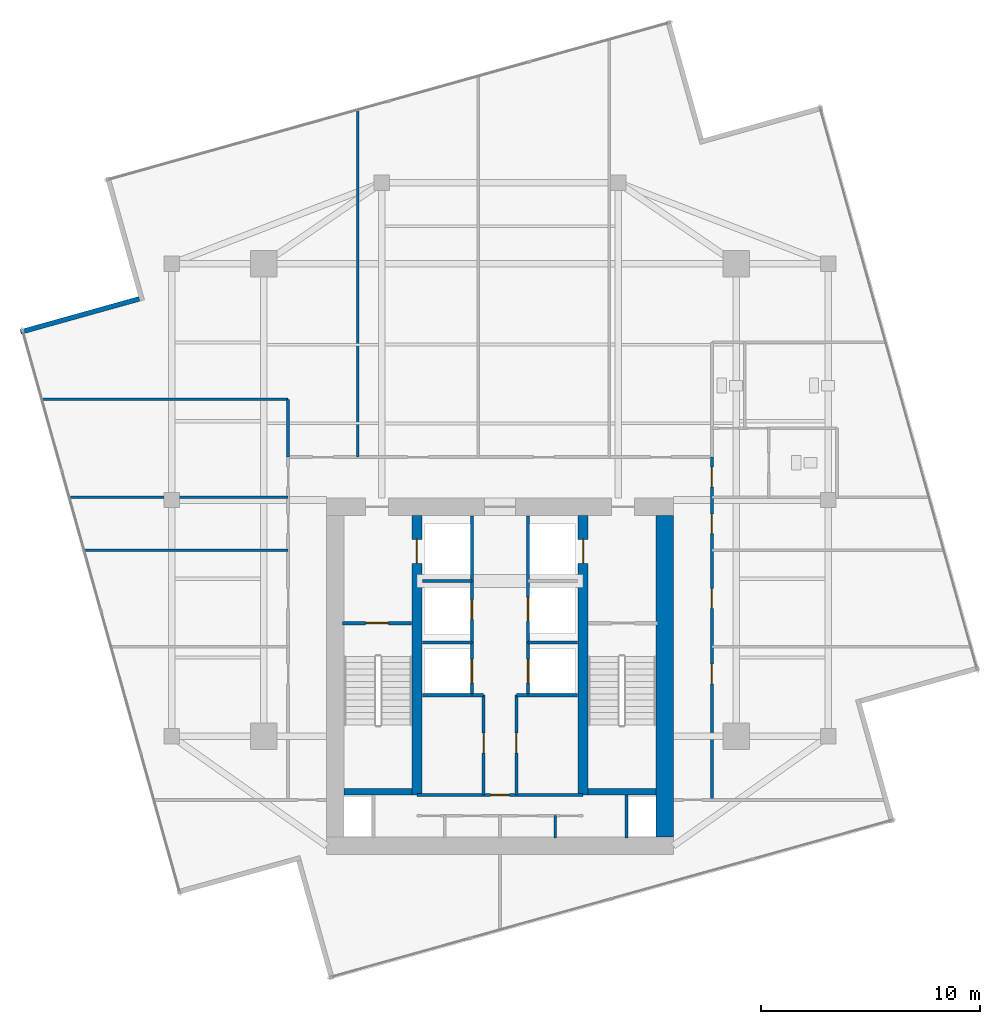
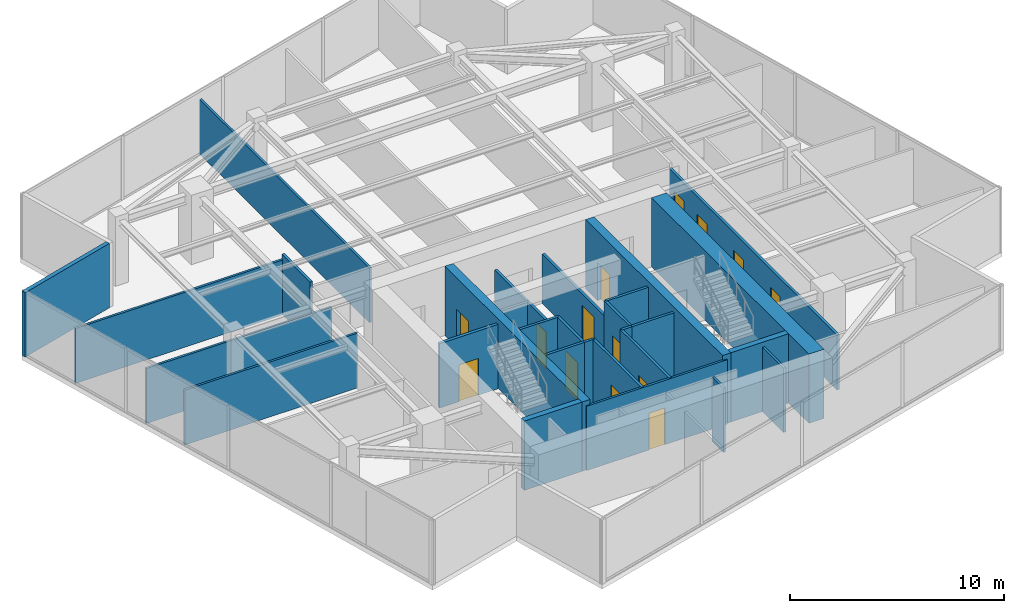
# One storey, part 17 of 20: 29 walls, 14 doors, 14 openings.
"""IFC4 building model written with IfcOpenShell, lengths in metres."""

from ifc_helpers import new_model, si_unit, direction, frame, frame_2d, origin, place, context, subcontext, project, spatial, rectangle, extrude, material, layer, layer_set, type_object, element, fill, save


model = new_model("IFC4")

# Units and contexts
model_context = context("Model", 3, precision=1e-05, world=origin(), true_north=direction((0.0, 1.0)))
body_context = subcontext(model_context, "Body", "Model", "MODEL_VIEW")
ifc_project = project(units=[si_unit("LENGTHUNIT", "METRE"), si_unit("AREAUNIT", "SQUARE_METRE"), si_unit("VOLUMEUNIT", "CUBIC_METRE"), si_unit("PLANEANGLEUNIT", "RADIAN"), si_unit("MASSUNIT", "GRAM", prefix="KILO")], contexts=[model_context])

# Site, building, storey
site_placement = place(None, origin())
site = spatial("IfcSite", under=ifc_project, at=site_placement, CompositionType="ELEMENT")
building_placement = place(site_placement, origin())
building = spatial("IfcBuilding", under=site, at=building_placement, Name="Krantzveldt Concourse Tower", CompositionType="ELEMENT")
storey_placement = place(building_placement, frame((0.0, 0.0, 351.39990234375)))
storey = spatial("IfcBuildingStorey", under=building, at=storey_placement, Name="L86", CompositionType="ELEMENT", Elevation=351.39990234375)

# Wall
ifc_material_1 = material(Name="Anodised aluminium 6063-T6", Category="aluminium")
ifc_layer_1 = layer(ifc_material_1, 0.219970703125, Name="Anodised aluminium 6063-T6", Category="aluminium")
ifc_layer_set_1 = layer_set([ifc_layer_1], Name="Anodised aluminium 6063-T6 (WL-EXT-NOTCH220)")
wall_type_1 = type_object("IfcWallType", Name="WL-EXT-NOTCH220", PredefinedType="ELEMENTEDWALL", material=ifc_layer_set_1)
wall_1_placement = place(storey_placement, frame((19.515625, 35.8896484375, 0.0), z_axis=(0.0, 0.0, 1.0), x_axis=(-0.963050070433, -0.269322412432, 0.0)))
element("IfcWall", 1, at=wall_1_placement, inside=storey, type_object=wall_type_1, Name="EW-L86-NCH03", PredefinedType="ELEMENTEDWALL", context=body_context, shape_type="SweptSolid", body=[
    extrude(rectangle(XDim=5.624755859375, YDim=0.219970703125, at=frame_2d((2.8125, 0.0))), origin(), (0.0, 0.0, 1.0), 3.670166015625),
])

# Wall, opening, door
ifc_material_2 = material(Name="Fire-rated gypsum plasterboard on steel stud", Category="steel")
ifc_layer_2 = layer(ifc_material_2, 0.1201171875, Name="Fire-rated gypsum plasterboard on steel stud", Category="steel")
ifc_layer_set_2 = layer_set([ifc_layer_2], Name="Fire-rated gypsum plasterboard on steel stud (WL-PART-120)")
wall_type_2 = type_object("IfcWallType", Name="WL-PART-120", PredefinedType="PARTITIONING", material=ifc_layer_set_2)
wall_2_placement = place(storey_placement, frame((32.2099609375, 13.219970703125, 0.0), z_axis=(0.0, 0.0, 1.0), x_axis=(1.0, 0.0, 0.0)))
wall_2 = element("IfcWall", 2, at=wall_2_placement, inside=storey, type_object=wall_type_2, Name="WP-L86-CS2H", PredefinedType="PARTITIONING", context=body_context, shape_type="SweptSolid", body=[
    extrude(rectangle(XDim=7.580078125, YDim=0.1201171875, at=frame_2d((3.7900390625, 0.0))), origin(), (0.0, 0.0, 1.0), 3.670166015625),
])
opening_1_placement = place(wall_2_placement, frame((3.364990234375, 0.0, 0.0)))
opening_1 = element("IfcOpeningElement", 3, at=opening_1_placement, cuts=wall_2, Name="Opening D-IN085", PredefinedType="OPENING", context=body_context, shape_type="SweptSolid", body=[
    extrude(rectangle(XDim=0.85009765625, YDim=2.10009765625, at=frame_2d((0.425048828125, 1.050048828125))), frame((0.0, 0.070068359375, 0.0), z_axis=(0.0, -1.0, 0.0), x_axis=(1.0, 0.0, 0.0)), (0.0, 0.0, 1.0), 0.14013671875),
])
ifc_material_3 = material(Name="Hardwood timber", Category="wood")
door_type_1 = type_object("IfcDoorType", Name="DR-INT-850", OperationType="SINGLE_SWING_LEFT", PredefinedType="DOOR", material=ifc_material_3)
door_1_placement = place(opening_1_placement, origin())
door_1 = element("IfcDoor", 4, at=door_1_placement, inside=storey, type_object=door_type_1, Name="DR-L86-LLBS", OperationType="SINGLE_SWING_RIGHT", OverallHeight=2.10009765625, OverallWidth=0.85009765625, PredefinedType="DOOR", context=body_context, shape_type="SweptSolid", body=[
    extrude(rectangle(XDim=0.85009765625, YDim=2.10009765625, at=frame_2d((0.425048828125, 1.050048828125))), frame((0.0, 0.02490234375, 0.0), z_axis=(0.0, -1.0, 0.0), x_axis=(1.0, 0.0, 0.0)), (0.0, 0.0, 1.0), 0.050048828125),
])
fill(opening_1, door_1)

# Walls
wall_3_placement = place(storey_placement, frame((38.530029296875, 11.25, 0.0), z_axis=(0.0, 0.0, 1.0), x_axis=(0.0, 1.0, 0.0)))
element("IfcWall", 5, at=wall_3_placement, inside=storey, type_object=wall_type_2, Name="WP-L86-CSD-V3", PredefinedType="PARTITIONING", context=body_context, shape_type="SweptSolid", body=[
    extrude(rectangle(XDim=1.030029296875, YDim=0.1201171875, at=frame_2d((0.51513671875, 0.0))), origin(), (0.0, 0.0, 1.0), 3.670166015625),
])
wall_4_placement = place(storey_placement, frame((16.330810546875, 26.820068359375, 0.0), z_axis=(0.0, 0.0, 1.0), x_axis=(1.0, 0.0, 0.0)))
element("IfcWall", 6, at=wall_4_placement, inside=storey, type_object=wall_type_2, Name="WP-L86-PNTS", PredefinedType="PARTITIONING", context=body_context, shape_type="SweptSolid", body=[
    extrude(rectangle(XDim=9.9892578125, YDim=0.1201171875, at=frame_2d((4.99462890625, 0.0))), origin(), (0.0, 0.0, 1.0), 3.130126953125),
])
wall_5_placement = place(storey_placement, frame((15.077880859375, 31.300048828125, 0.0), z_axis=(0.0, 0.0, 1.0), x_axis=(1.0, 0.0, 0.0)))
element("IfcWall", 7, at=wall_5_placement, inside=storey, type_object=wall_type_2, Name="WP-L86-PNTN", PredefinedType="PARTITIONING", context=body_context, shape_type="SweptSolid", body=[
    extrude(rectangle(XDim=11.2421875, YDim=0.1201171875, at=frame_2d((5.62109375, 0.0))), origin(), (0.0, 0.0, 1.0), 3.130126953125),
])
wall_6_placement = place(storey_placement, frame((29.5, 28.659912109375, 0.0), z_axis=(0.0, 0.0, 1.0), x_axis=(0.0, 1.0, 0.0)))
element("IfcWall", 8, at=wall_6_placement, inside=storey, type_object=wall_type_2, Name="WP-L86-ND1", PredefinedType="PARTITIONING", context=body_context, shape_type="SweptSolid", body=[
    extrude(rectangle(XDim=15.857666015625, YDim=0.1201171875, at=frame_2d((7.9287109375, 0.0))), origin(), (0.0, 0.0, 1.0), 3.130126953125),
])
wall_7_placement = place(storey_placement, frame((17.007568359375, 24.39990234375, 0.0), z_axis=(0.0, 0.0, 1.0), x_axis=(1.0, 0.0, 0.0)))
element("IfcWall", 9, at=wall_7_placement, inside=storey, type_object=wall_type_2, Name="WP-L86-WD2", PredefinedType="PARTITIONING", context=body_context, shape_type="SweptSolid", body=[
    extrude(rectangle(XDim=9.3125, YDim=0.1201171875, at=frame_2d((4.65625, 0.0))), origin(), (0.0, 0.0, 1.0), 3.130126953125),
])

# Wall, openings, doors
ifc_layer_3 = layer(ifc_material_2, 0.139892578125, Name="Fire-rated gypsum plasterboard on steel stud", Category="steel")
ifc_layer_set_3 = layer_set([ifc_layer_3], Name="Fire-rated gypsum plasterboard on steel stud (WL-PART-140)")
wall_type_3 = type_object("IfcWallType", Name="WL-PART-140", PredefinedType="PARTITIONING", material=ifc_layer_set_3)
wall_8_placement = place(storey_placement, frame((45.679931640625, 13.0, 0.0), z_axis=(0.0, 0.0, 1.0), x_axis=(0.0, 1.0, 0.0)))
wall_8 = element("IfcWall", 10, at=wall_8_placement, inside=storey, type_object=wall_type_3, Name="WP-L86-CEAST", PredefinedType="PARTITIONING", context=body_context, shape_type="SweptSolid", body=[
    extrude(rectangle(XDim=15.659912109375, YDim=0.139892578125, at=frame_2d((7.830078125, 0.0))), origin(), (0.0, 0.0, 1.0), 3.130126953125),
])
opening_2_placement = place(wall_8_placement, frame((14.300048828125, 0.0, 0.0)))
opening_2 = element("IfcOpeningElement", 11, at=opening_2_placement, cuts=wall_8, Name="Opening D-IN090", PredefinedType="OPENING", context=body_context, shape_type="SweptSolid", body=[
    extrude(rectangle(XDim=0.89990234375, YDim=2.10009765625, at=frame_2d((0.449951171875, 1.050048828125))), frame((0.0, 0.080078125, 0.0), z_axis=(0.0, -1.0, 0.0), x_axis=(1.0, 0.0, 0.0)), (0.0, 0.0, 1.0), 0.159912109375),
])
opening_3_placement = place(wall_8_placement, frame((5.300048828125, 0.0, 0.0)))
opening_3 = element("IfcOpeningElement", 12, at=opening_3_placement, cuts=wall_8, Name="Opening D-IN090", PredefinedType="OPENING", context=body_context, shape_type="SweptSolid", body=[
    extrude(rectangle(XDim=0.89990234375, YDim=2.10009765625, at=frame_2d((0.449951171875, 1.050048828125))), frame((0.0, 0.080078125, 0.0), z_axis=(0.0, -1.0, 0.0), x_axis=(1.0, 0.0, 0.0)), (0.0, 0.0, 1.0), 0.159912109375),
])
opening_4_placement = place(wall_8_placement, frame((8.75, 0.0, 0.0)))
opening_4 = element("IfcOpeningElement", 13, at=opening_4_placement, cuts=wall_8, Name="Opening D-IN090", PredefinedType="OPENING", context=body_context, shape_type="SweptSolid", body=[
    extrude(rectangle(XDim=0.89990234375, YDim=2.10009765625, at=frame_2d((0.449951171875, 1.050048828125))), frame((0.0, 0.080078125, 0.0), z_axis=(0.0, -1.0, 0.0), x_axis=(1.0, 0.0, 0.0)), (0.0, 0.0, 1.0), 0.159912109375),
])
opening_5_placement = place(wall_8_placement, frame((12.159912109375, 0.0, 0.0)))
opening_5 = element("IfcOpeningElement", 14, at=opening_5_placement, cuts=wall_8, Name="Opening D-IN090", PredefinedType="OPENING", context=body_context, shape_type="SweptSolid", body=[
    extrude(rectangle(XDim=0.89990234375, YDim=2.10009765625, at=frame_2d((0.449951171875, 1.050048828125))), frame((0.0, 0.080078125, 0.0), z_axis=(0.0, -1.0, 0.0), x_axis=(1.0, 0.0, 0.0)), (0.0, 0.0, 1.0), 0.159912109375),
])
door_type_2 = type_object("IfcDoorType", Name="DR-INT-900", OperationType="SINGLE_SWING_LEFT", PredefinedType="DOOR", material=ifc_material_3)
door_2_placement = place(opening_2_placement, origin())
door_2 = element("IfcDoor", 15, at=door_2_placement, inside=storey, type_object=door_type_2, Name="DR-L86-WCV", OperationType="SINGLE_SWING_RIGHT", OverallHeight=2.10009765625, OverallWidth=0.89990234375, PredefinedType="DOOR", context=body_context, shape_type="SweptSolid", body=[
    extrude(rectangle(XDim=0.89990234375, YDim=2.10009765625, at=frame_2d((0.449951171875, 1.050048828125))), frame((0.0, 0.02490234375, 0.0), z_axis=(0.0, -1.0, 0.0), x_axis=(1.0, 0.0, 0.0)), (0.0, 0.0, 1.0), 0.050048828125),
])
fill(opening_2, door_2)
door_3_placement = place(opening_3_placement, origin())
door_3 = element("IfcDoor", 16, at=door_3_placement, inside=storey, type_object=door_type_2, Name="DR-L86-ER1", OperationType="SINGLE_SWING_LEFT", OverallHeight=2.10009765625, OverallWidth=0.89990234375, PredefinedType="DOOR", context=body_context, shape_type="SweptSolid", body=[
    extrude(rectangle(XDim=0.89990234375, YDim=2.10009765625, at=frame_2d((0.449951171875, 1.050048828125))), frame((0.0, 0.02490234375, 0.0), z_axis=(0.0, -1.0, 0.0), x_axis=(1.0, 0.0, 0.0)), (0.0, 0.0, 1.0), 0.050048828125),
])
fill(opening_3, door_3)
door_4_placement = place(opening_4_placement, origin())
door_4 = element("IfcDoor", 17, at=door_4_placement, inside=storey, type_object=door_type_2, Name="DR-L86-ER2", OperationType="SINGLE_SWING_LEFT", OverallHeight=2.10009765625, OverallWidth=0.89990234375, PredefinedType="DOOR", context=body_context, shape_type="SweptSolid", body=[
    extrude(rectangle(XDim=0.89990234375, YDim=2.10009765625, at=frame_2d((0.449951171875, 1.050048828125))), frame((0.0, 0.02490234375, 0.0), z_axis=(0.0, -1.0, 0.0), x_axis=(1.0, 0.0, 0.0)), (0.0, 0.0, 1.0), 0.050048828125),
])
fill(opening_4, door_4)
door_5_placement = place(opening_5_placement, origin())
door_5 = element("IfcDoor", 18, at=door_5_placement, inside=storey, type_object=door_type_2, Name="DR-L86-ER3", OperationType="SINGLE_SWING_LEFT", OverallHeight=2.10009765625, OverallWidth=0.89990234375, PredefinedType="DOOR", context=body_context, shape_type="SweptSolid", body=[
    extrude(rectangle(XDim=0.89990234375, YDim=2.10009765625, at=frame_2d((0.449951171875, 1.050048828125))), frame((0.0, 0.02490234375, 0.0), z_axis=(0.0, -1.0, 0.0), x_axis=(1.0, 0.0, 0.0)), (0.0, 0.0, 1.0), 0.050048828125),
])
fill(opening_5, door_5)

# Wall
wall_9_placement = place(storey_placement, frame((26.320068359375, 28.659912109375, 0.0), z_axis=(0.0, 0.0, 1.0), x_axis=(0.0, 1.0, 0.0)))
element("IfcWall", 19, at=wall_9_placement, inside=storey, type_object=wall_type_3, Name="WP-L86-NWL", PredefinedType="PARTITIONING", context=body_context, shape_type="SweptSolid", body=[
    extrude(rectangle(XDim=2.64013671875, YDim=0.139892578125, at=frame_2d((1.320068359375, 0.0))), origin(), (0.0, 0.0, 1.0), 3.43017578125),
])

# Wall, opening, door
ifc_layer_4 = layer(ifc_material_2, 0.139892578125, Name="Fire-rated gypsum plasterboard on steel stud", Category="steel")
ifc_layer_set_4 = layer_set([ifc_layer_4], Name="Fire-rated gypsum plasterboard on steel stud (WL-PART-FR140)")
wall_type_4 = type_object("IfcWallType", Name="WL-PART-FR140", PredefinedType="PARTITIONING", material=ifc_layer_set_4)
wall_10_placement = place(storey_placement, frame((34.719970703125, 20.199951171875, 0.0), z_axis=(0.0, 0.0, 1.0), x_axis=(0.0, 1.0, 0.0)))
wall_10 = element("IfcWall", 20, at=wall_10_placement, inside=storey, type_object=wall_type_4, Name="WP-L86-SHNW", PredefinedType="PARTITIONING", context=body_context, shape_type="SweptSolid", body=[
    extrude(rectangle(XDim=5.780029296875, YDim=0.139892578125, at=frame_2d((2.89013671875, 0.0))), origin(), (0.0, 0.0, 1.0), 2.820068359375),
])
opening_6_placement = place(wall_10_placement, frame((1.050048828125, 0.0, 0.0)))
opening_6 = element("IfcOpeningElement", 21, at=opening_6_placement, cuts=wall_10, Name="Opening D-FD090", PredefinedType="OPENING", context=body_context, shape_type="SweptSolid", body=[
    extrude(rectangle(XDim=0.89990234375, YDim=2.10009765625, at=frame_2d((0.449951171875, 1.050048828125))), frame((0.0, 0.080078125, 0.0), z_axis=(0.0, -1.0, 0.0), x_axis=(1.0, 0.0, 0.0)), (0.0, 0.0, 1.0), 0.159912109375),
])
door_type_3 = type_object("IfcDoorType", Name="DR-FD60-900", OperationType="SINGLE_SWING_LEFT", PredefinedType="DOOR", material=ifc_material_3)
door_6_placement = place(opening_6_placement, origin())
door_6 = element("IfcDoor", 22, at=door_6_placement, inside=storey, type_object=door_type_3, Name="Electrical Riser Access Door L86", OperationType="SINGLE_SWING_LEFT", OverallHeight=2.10009765625, OverallWidth=0.89990234375, PredefinedType="DOOR", context=body_context, shape_type="SweptSolid", body=[
    extrude(rectangle(XDim=0.89990234375, YDim=2.10009765625, at=frame_2d((0.449951171875, 1.050048828125))), frame((0.0, 0.02490234375, 0.0), z_axis=(0.0, -1.0, 0.0), x_axis=(1.0, 0.0, 0.0)), (0.0, 0.0, 1.0), 0.050048828125),
])
fill(opening_6, door_6)

wall_11_placement = place(storey_placement, frame((37.280029296875, 20.199951171875, 0.0), z_axis=(0.0, 0.0, 1.0), x_axis=(0.0, 1.0, 0.0)))
wall_11 = element("IfcWall", 23, at=wall_11_placement, inside=storey, type_object=wall_type_4, Name="WP-L86-SHNE", PredefinedType="PARTITIONING", context=body_context, shape_type="SweptSolid", body=[
    extrude(rectangle(XDim=5.780029296875, YDim=0.139892578125, at=frame_2d((2.89013671875, 0.0))), origin(), (0.0, 0.0, 1.0), 2.820068359375),
])
opening_7_placement = place(wall_11_placement, frame((0.949951171875, 0.0, 0.0)))
opening_7 = element("IfcOpeningElement", 24, at=opening_7_placement, cuts=wall_11, Name="Opening LD", PredefinedType="OPENING", context=body_context, shape_type="SweptSolid", body=[
    extrude(rectangle(XDim=1.10009765625, YDim=2.14990234375, at=frame_2d((0.550048828125, 1.074951171875))), frame((0.0, 0.080078125, 0.0), z_axis=(0.0, -1.0, 0.0), x_axis=(1.0, 0.0, 0.0)), (0.0, 0.0, 1.0), 0.159912109375),
])
ifc_material_4 = material(Name="Stainless steel 316L", Category="steel")
door_type_4 = type_object("IfcDoorType", Name="DR-SLIDE-LD1100", OperationType="DOUBLE_DOOR_SLIDING", PredefinedType="DOOR", material=ifc_material_4)
door_7_placement = place(opening_7_placement, origin())
door_7 = element("IfcDoor", 25, at=door_7_placement, inside=storey, type_object=door_type_4, Name="LD-L86-GL1", OperationType="DOUBLE_DOOR_SLIDING", OverallHeight=2.14990234375, OverallWidth=1.10009765625, PredefinedType="DOOR", context=body_context, shape_type="SweptSolid", body=[
    extrude(rectangle(XDim=1.10009765625, YDim=2.14990234375, at=frame_2d((0.550048828125, 1.074951171875))), frame((0.0, 0.02490234375, 0.0), z_axis=(0.0, -1.0, 0.0), x_axis=(1.0, 0.0, 0.0)), (0.0, 0.0, 1.0), 0.050048828125),
])
fill(opening_7, door_7)

# Wall
wall_12_placement = place(storey_placement, frame((32.449951171875, 23.0, 0.0), z_axis=(0.0, 0.0, 1.0), x_axis=(1.0, 0.0, 0.0)))
element("IfcWall", 26, at=wall_12_placement, inside=storey, type_object=wall_type_4, Name="WP-L86-RISH", PredefinedType="PARTITIONING", context=body_context, shape_type="SweptSolid", body=[
    extrude(rectangle(XDim=2.27001953125, YDim=0.139892578125, at=frame_2d((1.135009765625, 0.0))), origin(), (0.0, 0.0, 1.0), 2.820068359375),
])

# Wall, opening, door
wall_13_placement = place(storey_placement, frame((34.719970703125, 17.780029296875, 0.0), z_axis=(0.0, 0.0, 1.0), x_axis=(0.0, 1.0, 0.0)))
wall_13 = element("IfcWall", 27, at=wall_13_placement, inside=storey, type_object=wall_type_4, Name="WP-L86-SHNW2", PredefinedType="PARTITIONING", context=body_context, shape_type="SweptSolid", body=[
    extrude(rectangle(XDim=2.419921875, YDim=0.139892578125, at=frame_2d((1.2099609375, 0.0))), origin(), (0.0, 0.0, 1.0), 3.670166015625),
])
opening_8_placement = place(wall_13_placement, frame((0.550048828125, 0.0, 0.0)))
opening_8 = element("IfcOpeningElement", 28, at=opening_8_placement, cuts=wall_13, Name="Opening LD", PredefinedType="OPENING", context=body_context, shape_type="SweptSolid", body=[
    extrude(rectangle(XDim=1.10009765625, YDim=2.14990234375, at=frame_2d((0.550048828125, 1.074951171875))), frame((0.0, 0.080078125, 0.0), z_axis=(0.0, -1.0, 0.0), x_axis=(1.0, 0.0, 0.0)), (0.0, 0.0, 1.0), 0.159912109375),
])
door_8_placement = place(opening_8_placement, origin())
door_8 = element("IfcDoor", 29, at=door_8_placement, inside=storey, type_object=door_type_4, Name="LD-L86-PH1", OperationType="DOUBLE_DOOR_SLIDING", OverallHeight=2.14990234375, OverallWidth=1.10009765625, PredefinedType="DOOR", context=body_context, shape_type="SweptSolid", body=[
    extrude(rectangle(XDim=1.10009765625, YDim=2.14990234375, at=frame_2d((0.550048828125, 1.074951171875))), frame((0.0, 0.02490234375, 0.0), z_axis=(0.0, -1.0, 0.0), x_axis=(1.0, 0.0, 0.0)), (0.0, 0.0, 1.0), 0.050048828125),
])
fill(opening_8, door_8)

wall_14_placement = place(storey_placement, frame((37.280029296875, 17.780029296875, 0.0), z_axis=(0.0, 0.0, 1.0), x_axis=(0.0, 1.0, 0.0)))
wall_14 = element("IfcWall", 30, at=wall_14_placement, inside=storey, type_object=wall_type_4, Name="WP-L86-SHNE2", PredefinedType="PARTITIONING", context=body_context, shape_type="SweptSolid", body=[
    extrude(rectangle(XDim=2.419921875, YDim=0.139892578125, at=frame_2d((1.2099609375, 0.0))), origin(), (0.0, 0.0, 1.0), 3.670166015625),
])
opening_9_placement = place(wall_14_placement, frame((0.550048828125, 0.0, 0.0)))
opening_9 = element("IfcOpeningElement", 31, at=opening_9_placement, cuts=wall_14, Name="Opening LD", PredefinedType="OPENING", context=body_context, shape_type="SweptSolid", body=[
    extrude(rectangle(XDim=1.10009765625, YDim=2.14990234375, at=frame_2d((0.550048828125, 1.074951171875))), frame((0.0, 0.080078125, 0.0), z_axis=(0.0, -1.0, 0.0), x_axis=(1.0, 0.0, 0.0)), (0.0, 0.0, 1.0), 0.159912109375),
])
door_9_placement = place(opening_9_placement, origin())
door_9 = element("IfcDoor", 32, at=door_9_placement, inside=storey, type_object=door_type_4, Name="LD-L86-PH2", OperationType="DOUBLE_DOOR_SLIDING", OverallHeight=2.14990234375, OverallWidth=1.10009765625, PredefinedType="DOOR", context=body_context, shape_type="SweptSolid", body=[
    extrude(rectangle(XDim=1.10009765625, YDim=2.14990234375, at=frame_2d((0.550048828125, 1.074951171875))), frame((0.0, 0.02490234375, 0.0), z_axis=(0.0, -1.0, 0.0), x_axis=(1.0, 0.0, 0.0)), (0.0, 0.0, 1.0), 0.050048828125),
])
fill(opening_9, door_9)

# Walls
for number, where, z_axis, x_axis, name in (
    (33, (32.449951171875, 17.780029296875, 0.0), (0.0, 0.0, 1.0), (1.0, 0.0, 0.0), "WP-L86-DIVW2"),
    (34, (32.449951171875, 20.179931640625, 0.0), (0.0, 0.0, 1.0), (1.0, 0.0, 0.0), "WP-L86-DIVW3"),
    (35, (37.280029296875, 17.780029296875, 0.0), (0.0, 0.0, 1.0), (1.0, 0.0, 0.0), "WP-L86-DIVE2"),
    (36, (37.280029296875, 20.179931640625, 0.0), (0.0, 0.0, 1.0), (1.0, 0.0, 0.0), "WP-L86-DIVE3"),
):
    element("IfcWall", number, at=place(storey_placement, frame(where, z_axis=z_axis, x_axis=x_axis)), inside=storey, type_object=wall_type_4, Name=name, PredefinedType="PARTITIONING", context=body_context, shape_type="SweptSolid", body=[
        extrude(rectangle(XDim=2.27001953125, YDim=0.139892578125, at=frame_2d((1.135009765625, 0.0))), origin(), (0.0, 0.0, 1.0), 3.670166015625),
    ])

# Wall, opening, door
wall_15_placement = place(storey_placement, frame((35.25, 13.219970703125, 0.0), z_axis=(0.0, 0.0, 1.0), x_axis=(0.0, 1.0, 0.0)))
wall_15 = element("IfcWall", 37, at=wall_15_placement, inside=storey, type_object=wall_type_4, Name="WP-L86-RECW", PredefinedType="PARTITIONING", context=body_context, shape_type="SweptSolid", body=[
    extrude(rectangle(XDim=4.56005859375, YDim=0.139892578125, at=frame_2d((2.280029296875, 0.0))), origin(), (0.0, 0.0, 1.0), 3.670166015625),
])
opening_10_placement = place(wall_15_placement, frame((1.929931640625, 0.0, 0.0)))
opening_10 = element("IfcOpeningElement", 38, at=opening_10_placement, cuts=wall_15, Name="Opening D-FD090", PredefinedType="OPENING", context=body_context, shape_type="SweptSolid", body=[
    extrude(rectangle(XDim=0.89990234375, YDim=2.10009765625, at=frame_2d((0.449951171875, 1.050048828125))), frame((0.0, 0.080078125, 0.0), z_axis=(0.0, -1.0, 0.0), x_axis=(1.0, 0.0, 0.0)), (0.0, 0.0, 1.0), 0.159912109375),
])
door_10_placement = place(opening_10_placement, origin())
door_10 = element("IfcDoor", 39, at=door_10_placement, inside=storey, type_object=door_type_3, Name="DR-L86-RECW", OperationType="SINGLE_SWING_LEFT", OverallHeight=2.10009765625, OverallWidth=0.89990234375, PredefinedType="DOOR", context=body_context, shape_type="SweptSolid", body=[
    extrude(rectangle(XDim=0.89990234375, YDim=2.10009765625, at=frame_2d((0.449951171875, 1.050048828125))), frame((0.0, 0.02490234375, 0.0), z_axis=(0.0, -1.0, 0.0), x_axis=(1.0, 0.0, 0.0)), (0.0, 0.0, 1.0), 0.050048828125),
])
fill(opening_10, door_10)

# Wall
wall_16_placement = place(storey_placement, frame((34.719970703125, 17.780029296875, 0.0), z_axis=(0.0, 0.0, 1.0), x_axis=(1.0, 0.0, 0.0)))
element("IfcWall", 40, at=wall_16_placement, inside=storey, type_object=wall_type_4, Name="WP-L86-RECWN", PredefinedType="PARTITIONING", context=body_context, shape_type="SweptSolid", body=[
    extrude(rectangle(XDim=0.530029296875, YDim=0.139892578125, at=frame_2d((0.26513671875, 0.0))), origin(), (0.0, 0.0, 1.0), 3.670166015625),
])

# Wall, opening, door
wall_17_placement = place(storey_placement, frame((36.75, 13.219970703125, 0.0), z_axis=(0.0, 0.0, 1.0), x_axis=(0.0, 1.0, 0.0)))
wall_17 = element("IfcWall", 41, at=wall_17_placement, inside=storey, type_object=wall_type_4, Name="WP-L86-RECE", PredefinedType="PARTITIONING", context=body_context, shape_type="SweptSolid", body=[
    extrude(rectangle(XDim=4.56005859375, YDim=0.139892578125, at=frame_2d((2.280029296875, 0.0))), origin(), (0.0, 0.0, 1.0), 3.670166015625),
])
opening_11_placement = place(wall_17_placement, frame((1.929931640625, 0.0, 0.0)))
opening_11 = element("IfcOpeningElement", 42, at=opening_11_placement, cuts=wall_17, Name="Opening D-FD090", PredefinedType="OPENING", context=body_context, shape_type="SweptSolid", body=[
    extrude(rectangle(XDim=0.89990234375, YDim=2.10009765625, at=frame_2d((0.449951171875, 1.050048828125))), frame((0.0, 0.080078125, 0.0), z_axis=(0.0, -1.0, 0.0), x_axis=(1.0, 0.0, 0.0)), (0.0, 0.0, 1.0), 0.159912109375),
])
door_11_placement = place(opening_11_placement, origin())
door_11 = element("IfcDoor", 43, at=door_11_placement, inside=storey, type_object=door_type_3, Name="DR-L86-RECE", OperationType="SINGLE_SWING_RIGHT", OverallHeight=2.10009765625, OverallWidth=0.89990234375, PredefinedType="DOOR", context=body_context, shape_type="SweptSolid", body=[
    extrude(rectangle(XDim=0.89990234375, YDim=2.10009765625, at=frame_2d((0.449951171875, 1.050048828125))), frame((0.0, 0.02490234375, 0.0), z_axis=(0.0, -1.0, 0.0), x_axis=(1.0, 0.0, 0.0)), (0.0, 0.0, 1.0), 0.050048828125),
])
fill(opening_11, door_11)

# Walls
wall_18_placement = place(storey_placement, frame((36.75, 17.780029296875, 0.0), z_axis=(0.0, 0.0, 1.0), x_axis=(1.0, 0.0, 0.0)))
element("IfcWall", 44, at=wall_18_placement, inside=storey, type_object=wall_type_4, Name="WP-L86-RECEN", PredefinedType="PARTITIONING", context=body_context, shape_type="SweptSolid", body=[
    extrude(rectangle(XDim=0.530029296875, YDim=0.139892578125, at=frame_2d((0.26513671875, 0.0))), origin(), (0.0, 0.0, 1.0), 3.670166015625),
])
wall_19_placement = place(storey_placement, frame((41.780029296875, 11.25, 0.0), z_axis=(0.0, 0.0, 1.0), x_axis=(0.0, 1.0, 0.0)))
element("IfcWall", 45, at=wall_19_placement, inside=storey, type_object=wall_type_4, Name="WP-L86-RSE", PredefinedType="PARTITIONING", context=body_context, shape_type="SweptSolid", body=[
    extrude(rectangle(XDim=1.969970703125, YDim=0.1201171875, at=frame_2d((0.98486328125, 0.0))), origin(), (0.0, 0.0, 1.0), 3.670166015625),
])

# Wall, opening, door
ifc_layer_5 = layer(ifc_material_2, 0.159912109375, Name="Fire-rated gypsum plasterboard on steel stud", Category="steel")
ifc_layer_set_5 = layer_set([ifc_layer_5], Name="Fire-rated gypsum plasterboard on steel stud (WL-PART-FR160)")
wall_type_5 = type_object("IfcWallType", Name="WL-PART-FR160", PredefinedType="PARTITIONING", material=ifc_layer_set_5)
wall_20_placement = place(storey_placement, frame((28.800048828125, 21.080078125, 0.0), z_axis=(0.0, 0.0, 1.0), x_axis=(1.0, 0.0, 0.0)))
wall_20 = element("IfcWall", 46, at=wall_20_placement, inside=storey, type_object=wall_type_5, Name="WP-L86-ST1", PredefinedType="PARTITIONING", context=body_context, shape_type="SweptSolid", body=[
    extrude(rectangle(XDim=3.159912109375, YDim=0.159912109375, at=frame_2d((1.580078125, 0.0))), origin(), (0.0, 0.0, 1.0), 3.670166015625),
])
opening_12_placement = place(wall_20_placement, frame((1.054931640625, 0.0, 0.0)))
opening_12 = element("IfcOpeningElement", 47, at=opening_12_placement, cuts=wall_20, Name="Opening D-FD105", PredefinedType="OPENING", context=body_context, shape_type="SweptSolid", body=[
    extrude(rectangle(XDim=1.050048828125, YDim=2.10009765625, at=frame_2d((0.52490234375, 1.050048828125))), frame((0.0, 0.08984375, 0.0), z_axis=(0.0, -1.0, 0.0), x_axis=(1.0, 0.0, 0.0)), (0.0, 0.0, 1.0), 0.179931640625),
])
ifc_material_5 = material(Name="Galvanised steel", Category="steel")
door_type_5 = type_object("IfcDoorType", Name="DR-FD120-1050", OperationType="SINGLE_SWING_LEFT", PredefinedType="DOOR", material=ifc_material_5)
door_12_placement = place(opening_12_placement, origin())
door_12 = element("IfcDoor", 48, at=door_12_placement, inside=storey, type_object=door_type_5, Name="DR-L86-ST1", OperationType="SINGLE_SWING_RIGHT", OverallHeight=2.10009765625, OverallWidth=1.050048828125, PredefinedType="DOOR", context=body_context, shape_type="SweptSolid", body=[
    extrude(rectangle(XDim=1.050048828125, YDim=2.10009765625, at=frame_2d((0.52490234375, 1.050048828125))), frame((0.0, 0.02490234375, 0.0), z_axis=(0.0, -1.0, 0.0), x_axis=(1.0, 0.0, 0.0)), (0.0, 0.0, 1.0), 0.050048828125),
])
fill(opening_12, door_12)

# Walls
ifc_material_6 = material(Name="Concrete C50/60", Category="concrete")
ifc_layer_6 = layer(ifc_material_6, 0.300048828125, Name="Concrete C50/60", Category="concrete")
ifc_layer_set_6 = layer_set([ifc_layer_6], Name="Concrete C50/60 (WL-SHEAR-300)")
wall_type_6 = type_object("IfcWallType", Name="WL-SHEAR-300", PredefinedType="SHEAR", material=ifc_layer_set_6)
for number, where, z_axis, x_axis, name in (
    (49, (28.8798828125, 13.3701171875, 0.0), (0.0, 0.0, 1.0), (1.0, 0.0, 0.0), "CW-L86-ST1S"),
    (50, (40.02001953125, 13.3701171875, 0.0), (0.0, 0.0, 1.0), (1.0, 0.0, 0.0), "CW-L86-ST2S"),
):
    element("IfcWall", number, at=place(storey_placement, frame(where, z_axis=z_axis, x_axis=x_axis)), inside=storey, type_object=wall_type_6, Name=name, PredefinedType="SHEAR", context=body_context, shape_type="SweptSolid", body=[
        extrude(rectangle(XDim=3.10009765625, YDim=0.300048828125, at=frame_2d((1.550048828125, 0.0))), origin(), (0.0, 0.0, 1.0), 3.9501953125),
    ])

# Wall, opening, door
ifc_layer_7 = layer(ifc_material_6, 0.449951171875, Name="Concrete C50/60", Category="concrete")
ifc_layer_set_7 = layer_set([ifc_layer_7], Name="Concrete C50/60 (WL-SHEAR-450)")
wall_type_7 = type_object("IfcWallType", Name="WL-SHEAR-450", PredefinedType="SHEAR", material=ifc_layer_set_7)
wall_21_placement = place(storey_placement, frame((32.205078125, 13.219970703125, 0.0), z_axis=(0.0, 0.0, 1.0), x_axis=(0.0, 1.0, 0.0)))
wall_21 = element("IfcWall", 51, at=wall_21_placement, inside=storey, type_object=wall_type_7, Name="CW-L86-IW", PredefinedType="SHEAR", context=body_context, shape_type="SweptSolid", body=[
    extrude(rectangle(XDim=12.780029296875, YDim=0.449951171875, at=frame_2d((6.39013671875, 0.0))), origin(), (0.0, 0.0, 1.0), 3.9501953125),
])
opening_13_placement = place(wall_21_placement, frame((10.580078125, 0.0, 0.0)))
opening_13 = element("IfcOpeningElement", 52, at=opening_13_placement, cuts=wall_21, Name="Opening LD", PredefinedType="OPENING", context=body_context, shape_type="SweptSolid", body=[
    extrude(rectangle(XDim=1.10009765625, YDim=2.14990234375, at=frame_2d((0.550048828125, 1.074951171875))), frame((0.0, 0.23486328125, 0.0), z_axis=(0.0, -1.0, 0.0), x_axis=(1.0, 0.0, 0.0)), (0.0, 0.0, 1.0), 0.469970703125),
])
door_13_placement = place(opening_13_placement, origin())
door_13 = element("IfcDoor", 53, at=door_13_placement, inside=storey, type_object=door_type_4, Name="LD-L86-FL1", OperationType="DOUBLE_DOOR_SLIDING", OverallHeight=2.14990234375, OverallWidth=1.10009765625, PredefinedType="DOOR", context=body_context, shape_type="SweptSolid", body=[
    extrude(rectangle(XDim=1.10009765625, YDim=2.14990234375, at=frame_2d((0.550048828125, 1.074951171875))), frame((0.0, 0.02490234375, 0.0), z_axis=(0.0, -1.0, 0.0), x_axis=(1.0, 0.0, 0.0)), (0.0, 0.0, 1.0), 0.050048828125),
])
fill(opening_13, door_13)

wall_22_placement = place(storey_placement, frame((39.794921875, 13.219970703125, 0.0), z_axis=(0.0, 0.0, 1.0), x_axis=(0.0, 1.0, 0.0)))
wall_22 = element("IfcWall", 54, at=wall_22_placement, inside=storey, type_object=wall_type_7, Name="CW-L86-IE", PredefinedType="SHEAR", context=body_context, shape_type="SweptSolid", body=[
    extrude(rectangle(XDim=12.780029296875, YDim=0.449951171875, at=frame_2d((6.39013671875, 0.0))), origin(), (0.0, 0.0, 1.0), 3.9501953125),
])
opening_14_placement = place(wall_22_placement, frame((10.580078125, 0.0, 0.0)))
opening_14 = element("IfcOpeningElement", 55, at=opening_14_placement, cuts=wall_22, Name="Opening LD", PredefinedType="OPENING", context=body_context, shape_type="SweptSolid", body=[
    extrude(rectangle(XDim=1.10009765625, YDim=2.14990234375, at=frame_2d((0.550048828125, 1.074951171875))), frame((0.0, 0.23486328125, 0.0), z_axis=(0.0, -1.0, 0.0), x_axis=(1.0, 0.0, 0.0)), (0.0, 0.0, 1.0), 0.469970703125),
])
door_14_placement = place(opening_14_placement, origin())
door_14 = element("IfcDoor", 56, at=door_14_placement, inside=storey, type_object=door_type_4, Name="LD-L86-FL2", OperationType="DOUBLE_DOOR_SLIDING", OverallHeight=2.14990234375, OverallWidth=1.10009765625, PredefinedType="DOOR", context=body_context, shape_type="SweptSolid", body=[
    extrude(rectangle(XDim=1.10009765625, YDim=2.14990234375, at=frame_2d((0.550048828125, 1.074951171875))), frame((0.0, 0.02490234375, 0.0), z_axis=(0.0, -1.0, 0.0), x_axis=(1.0, 0.0, 0.0)), (0.0, 0.0, 1.0), 0.050048828125),
])
fill(opening_14, door_14)

# Wall
ifc_material_7 = material(Name="Concrete C60/75", Category="concrete")
ifc_layer_8 = layer(ifc_material_7, 0.800048828125, Name="Concrete C60/75", Category="concrete")
ifc_layer_set_8 = layer_set([ifc_layer_8], Name="Concrete C60/75 (WL-SHEAR-800)")
wall_type_8 = type_object("IfcWallType", Name="WL-SHEAR-800", PredefinedType="SHEAR", material=ifc_layer_set_8)
wall_23_placement = place(storey_placement, frame((43.52001953125, 11.300048828125, 0.0), z_axis=(0.0, 0.0, 1.0), x_axis=(0.0, 1.0, 0.0)))
element("IfcWall", 57, at=wall_23_placement, inside=storey, type_object=wall_type_8, Name="CW-L86-E", PredefinedType="SHEAR", context=body_context, shape_type="SweptSolid", body=[
    extrude(rectangle(XDim=14.699951171875, YDim=0.800048828125, at=frame_2d((7.35009765625, 0.0))), origin(), (0.0, 0.0, 1.0), 3.9501953125),
])

save(model, "model.ifc")
